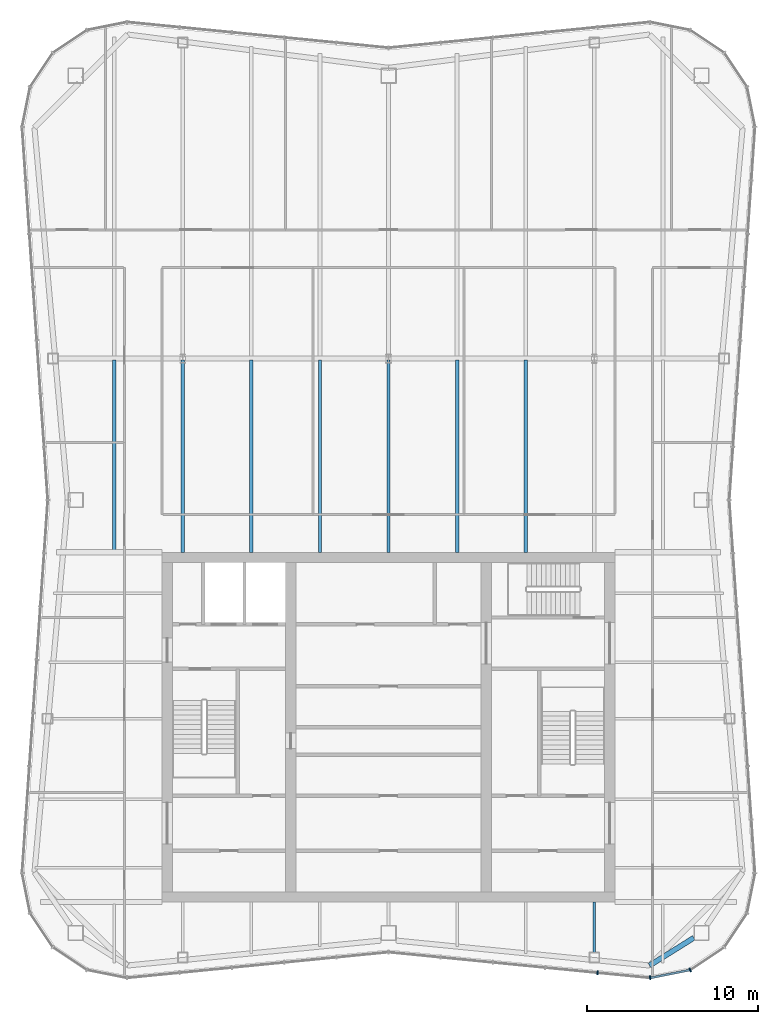
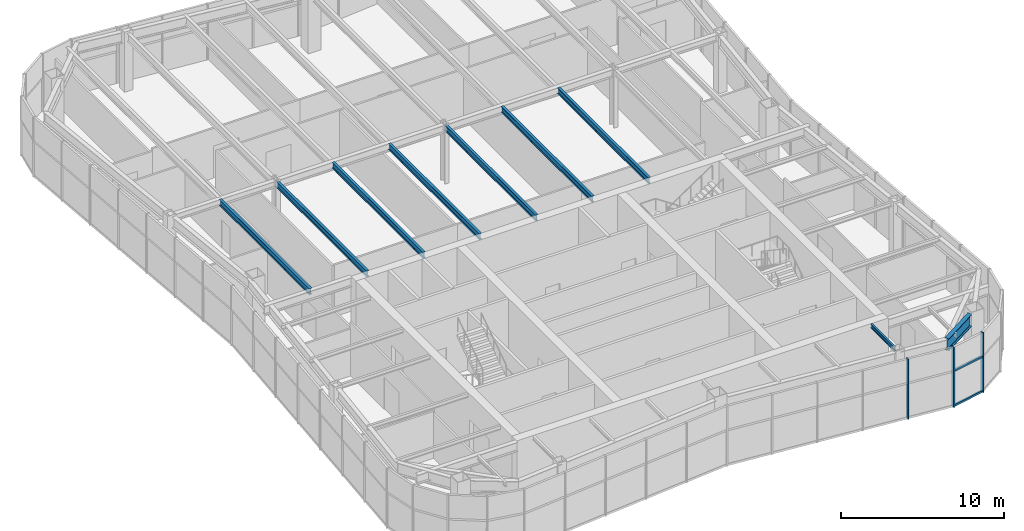
# One storey, part 4 of 13: 9 beams, 5 members, 2 elements without a shape of their own.
"""IFC4 building model written with IfcOpenShell, lengths in metres."""

from ifc_helpers import new_model, si_unit, direction, frame, origin, origin_2d, place, context, subcontext, project, spatial, rectangle, i_section, extrude, material, material_profile, profile_set, type_object, element, aggregate, save


model = new_model("IFC4")

# Units and contexts
model_context = context("Model", 3, precision=1e-05, world=origin(), true_north=direction((0.0, 1.0)))
body_context = subcontext(model_context, "Body", "Model", "MODEL_VIEW")
ifc_project = project(units=[si_unit("LENGTHUNIT", "METRE"), si_unit("AREAUNIT", "SQUARE_METRE"), si_unit("VOLUMEUNIT", "CUBIC_METRE"), si_unit("PLANEANGLEUNIT", "RADIAN"), si_unit("MASSUNIT", "GRAM", prefix="KILO")], contexts=[model_context])

# Site, building, storey
site_placement = place(None, origin())
site = spatial("IfcSite", under=ifc_project, at=site_placement, CompositionType="ELEMENT")
building_placement = place(site_placement, origin())
building = spatial("IfcBuilding", under=site, at=building_placement, Name="Verdant Reach Tower", CompositionType="ELEMENT")
storey_placement = place(building_placement, frame((0.0, 0.0, 359.5)))
storey = spatial("IfcBuildingStorey", under=building, at=storey_placement, Name="L81 Plant", CompositionType="ELEMENT", Elevation=359.5)

# Curtain wall, members
ifc_material_1 = material(Name="Anodised aluminium", Category="aluminium")
curtain_wall_type = type_object("IfcCurtainWallType", Name="EN-CW SYSTEM PLANT", PredefinedType="NOTDEFINED", material=ifc_material_1)
curtain_wall_1_placement = place(storey_placement, origin())
curtain_wall_1 = element("IfcCurtainWall", 1, at=curtain_wall_1_placement, inside=storey, type_object=curtain_wall_type, Name="Curtain wall south-east corner, L81", PredefinedType="NOTDEFINED")
ifc_material_profile_1 = material_profile(ifc_material_1, rectangle(XDim=0.238037109375, YDim=0.080078125, at=origin_2d()), Name="Mullion 80x240")
ifc_profile_set_1 = profile_set([ifc_material_profile_1], Name="Anodised aluminium")
member_type_1 = type_object("IfcMemberType", Name="EN-MULLION PLANT", PredefinedType="MULLION", material=ifc_profile_set_1)
member_1_placement = place(storey_placement, frame((15.255859375, 13.381103515625, -0.35009765625), z_axis=(0.0, 0.0, 1.0), x_axis=(0.049127596288, -0.998792510626, 0.0)))
member_1 = element("IfcMember", 2, at=member_1_placement, type_object=member_type_1, Name="Mullion south-east corner 1, L81", PredefinedType="MULLION", context=body_context, shape_type="SweptSolid", body=[
    extrude(rectangle(XDim=0.238037109375, YDim=0.080078125, at=origin_2d()), origin(), (0.0, 0.0, 1.0), 4.5),
])
member_2_placement = place(storey_placement, frame((17.591552734375, 13.8466796875, -0.35009765625), z_axis=(0.0, 0.0, 1.0), x_axis=(0.382693853776, -0.923875215753, 0.0)))
member_2 = element("IfcMember", 3, at=member_2_placement, type_object=member_type_1, Name="Mullion south-east corner 2, L81", PredefinedType="MULLION", context=body_context, shape_type="SweptSolid", body=[
    extrude(rectangle(XDim=0.238037109375, YDim=0.080078125, at=origin_2d()), origin(), (0.0, 0.0, 1.0), 4.5),
])

# Curtain wall, member
curtain_wall_2_placement = place(storey_placement, origin())
curtain_wall_2 = element("IfcCurtainWall", 4, at=curtain_wall_2_placement, inside=storey, type_object=curtain_wall_type, Name="Curtain wall south, L81", PredefinedType="NOTDEFINED")
member_3_placement = place(storey_placement, frame((12.188232421875, 13.681640625, -0.35009765625), z_axis=(0.0, 0.0, 1.0), x_axis=(-0.09788826992, -0.995197410875, 0.0)))
member_3 = element("IfcMember", 5, at=member_3_placement, type_object=member_type_1, Name="Mullion south face part 2 5, L81", PredefinedType="MULLION", context=body_context, shape_type="SweptSolid", body=[
    extrude(rectangle(XDim=0.238037109375, YDim=0.080078125, at=origin_2d()), origin(), (0.0, 0.0, 1.0), 4.5),
])
aggregate(curtain_wall_2, [member_3])

# Member
ifc_material_profile_2 = material_profile(ifc_material_1, rectangle(XDim=0.1201171875, YDim=0.14990234375, at=origin_2d()), Name="Transom 150x120")
ifc_profile_set_2 = profile_set([ifc_material_profile_2], Name="Anodised aluminium")
member_type_2 = type_object("IfcMemberType", Name="EN-TRANSOM PLANT", PredefinedType="USERDEFINED", material=ifc_profile_set_2)
member_4_placement = place(storey_placement, frame((15.295166015625, 13.388916015625, -0.27490234375), z_axis=(0.980706937788, 0.195483764476, 0.0), x_axis=(-0.195483764476, 0.980706937788, 0.0)))
member_4 = element("IfcMember", 6, at=member_4_placement, type_object=member_type_2, Name="Transom south-east corner 1.1, L81", ObjectType="TRANSOM", PredefinedType="USERDEFINED", context=body_context, shape_type="SweptSolid", body=[
    extrude(rectangle(XDim=0.1201171875, YDim=0.14990234375, at=origin_2d()), origin(), (0.0, 0.0, 1.0), 2.3017578125),
])

member_5_placement = place(storey_placement, frame((15.295166015625, 13.388916015625, 2.35009765625), z_axis=(0.980706937788, 0.195483764476, 0.0), x_axis=(-0.195483764476, 0.980706937788, 0.0)))
member_5 = element("IfcMember", 7, at=member_5_placement, type_object=member_type_2, Name="Transom south-east corner 1.2, L81", ObjectType="TRANSOM", PredefinedType="USERDEFINED", context=body_context, shape_type="SweptSolid", body=[
    extrude(rectangle(XDim=0.1201171875, YDim=0.14990234375, at=origin_2d()), origin(), (0.0, 0.0, 1.0), 2.3017578125),
])

aggregate(curtain_wall_1, [member_1, member_2, member_4, member_5])

# Beams
ifc_material_2 = material(Name="Steel S355", Category="steel")
ifc_material_profile_3 = material_profile(ifc_material_2, i_section(OverallWidth=0.302001953125, OverallDepth=0.909912109375, WebThickness=0.02099609375, FlangeThickness=0.0400390625, FilletRadius=0.030029296875, at=origin_2d()), Name="HEM 900")
ifc_profile_set_3 = profile_set([ifc_material_profile_3], Name="Steel S355")
beam_type_1 = type_object("IfcBeamType", Name="ST-BEAM-HEM900", PredefinedType="BEAM", material=ifc_profile_set_3)
beam_1_placement = place(storey_placement, frame((17.800048828125, 15.71875, 3.89501953125), z_axis=(-0.847903624467, -0.530150397166, 0.0), x_axis=(0.530150397166, -0.847903624467, 0.0)))
element("IfcBeam", 8, at=beam_1_placement, inside=storey, type_object=beam_type_1, Name="Column stub beam, L81 Plant", PredefinedType="BEAM", context=body_context, shape_type="SweptSolid", body=[
    extrude(i_section(OverallWidth=0.302001953125, OverallDepth=0.909912109375, WebThickness=0.02099609375, FlangeThickness=0.0400390625, FilletRadius=0.030029296875, at=origin_2d()), origin(), (0.0, 0.0, 1.0), 3.042724609375),
])
ifc_material_profile_4 = material_profile(ifc_material_2, i_section(OverallWidth=0.14990234375, OverallDepth=0.300048828125, WebThickness=0.007080078125, FlangeThickness=0.0107421875, FilletRadius=0.014892578125, at=origin_2d()), Name="IPE 300")
ifc_profile_set_4 = profile_set([ifc_material_profile_4], Name="Steel S355")
beam_type_2 = type_object("IfcBeamType", Name="ST-JOIST-IPE300", PredefinedType="JOIST", material=ifc_profile_set_4)
beam_2_placement = place(storey_placement, frame((12.0, 17.800048828125, 4.199951171875), z_axis=(0.0, -1.0, 0.0), x_axis=(1.0, 0.0, 0.0)))
element("IfcBeam", 9, at=beam_2_placement, inside=storey, type_object=beam_type_2, Name="Floor joist, L81 Plant", PredefinedType="JOIST", context=body_context, shape_type="SweptSolid", body=[
    extrude(i_section(OverallWidth=0.14990234375, OverallDepth=0.300048828125, WebThickness=0.007080078125, FlangeThickness=0.0107421875, FilletRadius=0.014892578125, at=origin_2d()), origin(), (0.0, 0.0, 1.0), 2.930419921875),
])
ifc_material_profile_5 = material_profile(ifc_material_2, i_section(OverallWidth=0.18994140625, OverallDepth=0.449951171875, WebThickness=0.009521484375, FlangeThickness=0.0146484375, FilletRadius=0.02099609375, at=origin_2d()), Name="IPE 450")
ifc_profile_set_5 = profile_set([ifc_material_profile_5], Name="Steel S355")
beam_type_3 = type_object("IfcBeamType", Name="ST-JOIST-IPE450", PredefinedType="JOIST", material=ifc_profile_set_5)
beam_3_placement = place(storey_placement, frame((-16.0, 38.300048828125, 4.125), z_axis=(0.0, 1.0, 0.0), x_axis=(-1.0, 0.0, 0.0)))
element("IfcBeam", 10, at=beam_3_placement, inside=storey, type_object=beam_type_3, Name="Floor joist, L81 Plant", PredefinedType="JOIST", context=body_context, shape_type="SweptSolid", body=[
    extrude(i_section(OverallWidth=0.18994140625, OverallDepth=0.449951171875, WebThickness=0.009521484375, FlangeThickness=0.0146484375, FilletRadius=0.02099609375, at=origin_2d()), origin(), (0.0, 0.0, 1.0), 11.099853515625),
])
for number, where, z_axis, x_axis, name in (
    (11, (-12.0, 38.199951171875, 4.125), (0.0, 1.0, 0.0), (-1.0, 0.0, 0.0), "Floor joist, L81 Plant"),
    (12, (-8.0, 38.199951171875, 4.125), (0.0, 1.0, 0.0), (-1.0, 0.0, 0.0), "Floor joist, L81 Plant"),
    (13, (-4.0, 38.199951171875, 4.125), (0.0, 1.0, 0.0), (-1.0, 0.0, 0.0), "Floor joist, L81 Plant"),
    (14, (0.0, 38.199951171875, 4.125), (0.0, 1.0, 0.0), (-1.0, 0.0, 0.0), "Floor joist, L81 Plant"),
    (15, (4.0, 38.199951171875, 4.125), (0.0, 1.0, 0.0), (-1.0, 0.0, 0.0), "Floor joist, L81 Plant"),
    (16, (8.0, 38.199951171875, 4.125), (0.0, 1.0, 0.0), (-1.0, 0.0, 0.0), "Floor joist, L81 Plant"),
):
    element("IfcBeam", number, at=place(storey_placement, frame(where, z_axis=z_axis, x_axis=x_axis)), inside=storey, type_object=beam_type_3, Name=name, PredefinedType="JOIST", context=body_context, shape_type="SweptSolid", body=[
        extrude(i_section(OverallWidth=0.18994140625, OverallDepth=0.449951171875, WebThickness=0.009521484375, FlangeThickness=0.0146484375, FilletRadius=0.02099609375, at=origin_2d()), origin(), (0.0, 0.0, 1.0), 11.199951171875),
    ])

save(model, "model.ifc")
